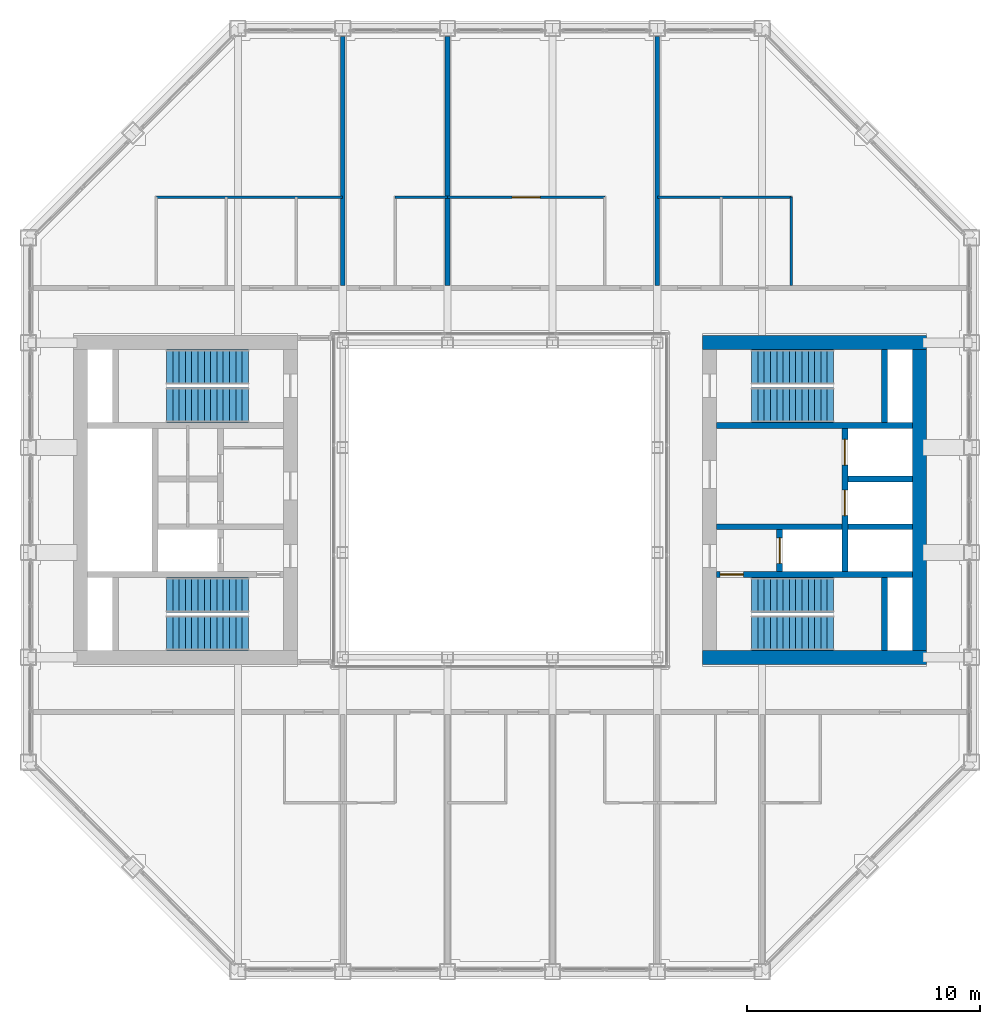
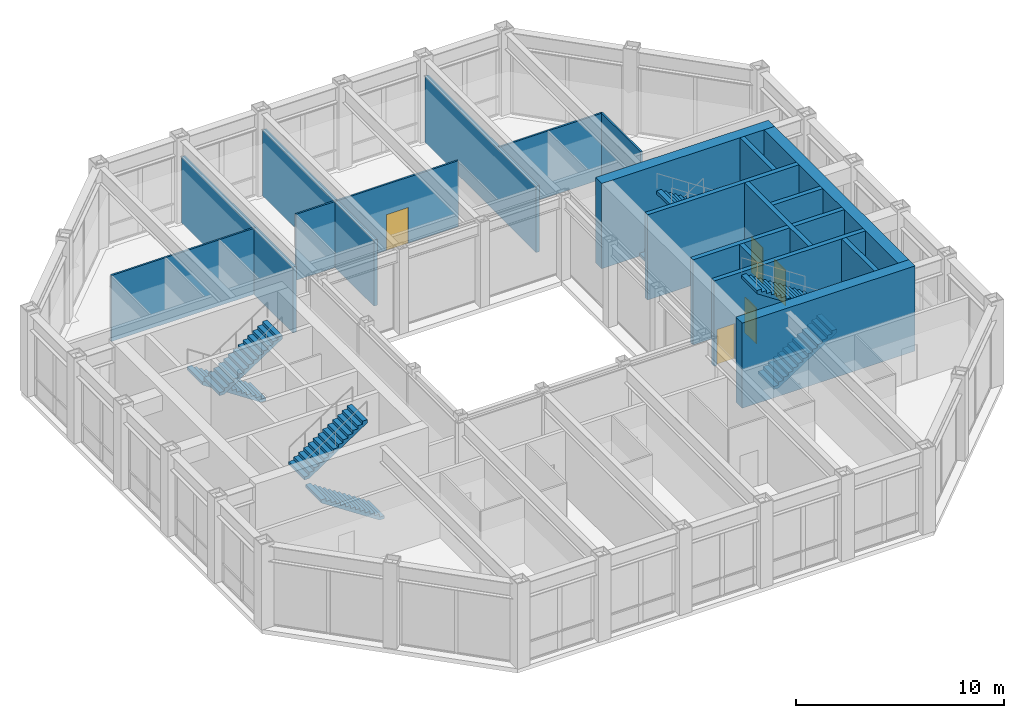
# One storey, part 13 of 15: 20 walls, 8 stair flights, 5 doors, 5 openings, 4 elements without a shape of their own.
"""IFC4 building model written with IfcOpenShell, lengths in metres."""

from ifc_helpers import new_model, si_unit, direction, frame, frame_2d, origin, place, context, subcontext, project, spatial, polyline, rectangle, outline, extrude, material, layer, layer_set, type_object, element, fill, aggregate, save


model = new_model("IFC4")

# Units and contexts
model_context = context("Model", 3, precision=1e-05, world=origin(), true_north=direction((0.0, 1.0)))
body_context = subcontext(model_context, "Body", "Model", "MODEL_VIEW")
ifc_project = project(units=[si_unit("LENGTHUNIT", "METRE"), si_unit("AREAUNIT", "SQUARE_METRE"), si_unit("VOLUMEUNIT", "CUBIC_METRE"), si_unit("PLANEANGLEUNIT", "RADIAN"), si_unit("MASSUNIT", "GRAM", prefix="KILO")], contexts=[model_context])

# Site, building, storey
site_placement = place(None, origin())
site = spatial("IfcSite", under=ifc_project, at=site_placement, CompositionType="ELEMENT")
building_placement = place(site_placement, origin())
building = spatial("IfcBuilding", under=site, at=building_placement, Name="Msasa Ring Tower", CompositionType="ELEMENT")
storey_placement = place(building_placement, frame((0.0, 0.0, 195.800048828125)))
storey = spatial("IfcBuildingStorey", under=building, at=storey_placement, Name="L51", CompositionType="ELEMENT", Elevation=195.800048828125)

# Walls
ifc_material_1 = material(Name="Concrete C60/75", Category="concrete")
ifc_layer_1 = layer(ifc_material_1, 0.60009765625)
ifc_layer_set_1 = layer_set([ifc_layer_1], Name="CW3 CORE WALL 600")
wall_type_1 = type_object("IfcWallType", Name="CW3 CORE WALL 600", PredefinedType="SHEAR", material=ifc_layer_set_1)
for number, where, z_axis, x_axis, name in (
    (1, (8.699951171875, -6.75, 0.0), (0.0, 0.0, 1.0), (1.0, 0.0, 0.0), "E core wall S L51"),
    (2, (8.699951171875, 6.75, 0.0), (0.0, 0.0, 1.0), (1.0, 0.0, 0.0), "E core wall N L51"),
):
    element("IfcWall", number, at=place(storey_placement, frame(where, z_axis=z_axis, x_axis=x_axis)), inside=storey, type_object=wall_type_1, Name=name, PredefinedType="SHEAR", context=body_context, shape_type="SweptSolid", body=[
        extrude(rectangle(XDim=9.60009765625, YDim=0.60009765625, at=frame_2d((4.800048828125, 0.0))), origin(), (0.0, 0.0, 1.0), 5.0),
    ])
wall_1_placement = place(storey_placement, frame((18.0, -6.449951171875, 0.0), z_axis=(0.0, 0.0, 1.0), x_axis=(0.0, 1.0, 0.0)))
element("IfcWall", 3, at=wall_1_placement, inside=storey, type_object=wall_type_1, Name="E core wall E L51", PredefinedType="SHEAR", context=body_context, shape_type="SweptSolid", body=[
    extrude(rectangle(XDim=12.89990234375, YDim=0.60009765625, at=frame_2d((6.449951171875, 0.0))), origin(), (0.0, 0.0, 1.0), 5.0),
])

# Wall, opening, door
ifc_material_2 = material(Name="Concrete C60/75", Category="concrete")
ifc_layer_2 = layer(ifc_material_2, 0.25)
ifc_layer_set_2 = layer_set([ifc_layer_2], Name="CW4 CORE INNER WALL 250")
wall_type_2 = type_object("IfcWallType", Name="CW4 CORE INNER WALL 250", PredefinedType="SHEAR", material=ifc_layer_set_2)
wall_2_placement = place(storey_placement, frame((9.300048828125, -3.199951171875, 0.0), z_axis=(0.0, 0.0, 1.0), x_axis=(1.0, 0.0, 0.0)))
wall_2 = element("IfcWall", 4, at=wall_2_placement, inside=storey, type_object=wall_type_2, Name="E core wall STAIRA L51", PredefinedType="SHEAR", context=body_context, shape_type="SweptSolid", body=[
    extrude(rectangle(XDim=8.39990234375, YDim=0.25, at=frame_2d((4.199951171875, 0.0))), origin(), (0.0, 0.0, 1.0), 5.0),
])
opening_1_placement = place(wall_2_placement, frame((0.14990234375, 0.0, 0.0)))
opening_1 = element("IfcOpeningElement", 5, at=opening_1_placement, cuts=wall_2, Name="Opening L51-026", PredefinedType="OPENING", context=body_context, shape_type="SweptSolid", body=[
    extrude(rectangle(XDim=1.0, YDim=2.10009765625, at=frame_2d((0.5, 1.050048828125))), frame((0.0, 0.135009765625, 0.0), z_axis=(0.0, -1.0, 0.0), x_axis=(1.0, 0.0, 0.0)), (0.0, 0.0, 1.0), 0.27001953125),
])
ifc_material_3 = material(Name="Timber door leaf in a steel frame", Category="steel")
door_type_1 = type_object("IfcDoorType", Name="D6 STAIR DOOR 1000x2100", OperationType="SINGLE_SWING_LEFT", PredefinedType="DOOR", material=ifc_material_3)
door_1_placement = place(opening_1_placement, origin())
door_1 = element("IfcDoor", 6, at=door_1_placement, inside=storey, type_object=door_type_1, Name="Door L51-ESTA", OperationType="SINGLE_SWING_LEFT", OverallHeight=2.10009765625, OverallWidth=1.0, PredefinedType="DOOR", context=body_context, shape_type="SweptSolid", body=[
    extrude(rectangle(XDim=1.0, YDim=2.10009765625, at=frame_2d((0.5, 1.050048828125))), frame((0.0, 0.02490234375, 0.0), z_axis=(0.0, -1.0, 0.0), x_axis=(1.0, 0.0, 0.0)), (0.0, 0.0, 1.0), 0.050048828125),
])
fill(opening_1, door_1)

# Walls
wall_3_placement = place(storey_placement, frame((9.300048828125, 3.199951171875, 0.0), z_axis=(0.0, 0.0, 1.0), x_axis=(1.0, 0.0, 0.0)))
element("IfcWall", 7, at=wall_3_placement, inside=storey, type_object=wall_type_2, Name="E core wall STAIRB L51", PredefinedType="SHEAR", context=body_context, shape_type="SweptSolid", body=[
    extrude(rectangle(XDim=8.39990234375, YDim=0.25, at=frame_2d((4.199951171875, 0.0))), origin(), (0.0, 0.0, 1.0), 5.0),
])
for number, where, z_axis, x_axis, name in (
    (8, (16.5, -6.449951171875, 0.0), (0.0, 0.0, 1.0), (0.0, 1.0, 0.0), "E core wall RISERA L51"),
    (9, (16.5, 3.324951171875, 0.0), (0.0, 0.0, 1.0), (0.0, 1.0, 0.0), "E core wall RISERB L51"),
):
    element("IfcWall", number, at=place(storey_placement, frame(where, z_axis=z_axis, x_axis=x_axis)), inside=storey, type_object=wall_type_2, Name=name, PredefinedType="SHEAR", context=body_context, shape_type="SweptSolid", body=[
        extrude(rectangle(XDim=3.125, YDim=0.25, at=frame_2d((1.5625, 0.0))), origin(), (0.0, 0.0, 1.0), 5.0),
    ])
wall_4_placement = place(storey_placement, frame((9.300048828125, -1.14990234375, 0.0), z_axis=(0.0, 0.0, 1.0), x_axis=(1.0, 0.0, 0.0)))
element("IfcWall", 10, at=wall_4_placement, inside=storey, type_object=wall_type_2, Name="E core wall FFL L51", PredefinedType="SHEAR", context=body_context, shape_type="SweptSolid", body=[
    extrude(rectangle(XDim=5.375, YDim=0.25, at=frame_2d((2.6875, 0.0))), origin(), (0.0, 0.0, 1.0), 5.0),
])

# Wall, opening, door
wall_5_placement = place(storey_placement, frame((12.0, -3.074951171875, 0.0), z_axis=(0.0, 0.0, 1.0), x_axis=(0.0, 1.0, 0.0)))
wall_5 = element("IfcWall", 11, at=wall_5_placement, inside=storey, type_object=wall_type_2, Name="E core wall LOBBY L51", PredefinedType="SHEAR", context=body_context, shape_type="SweptSolid", body=[
    extrude(rectangle(XDim=1.800048828125, YDim=0.25, at=frame_2d((0.89990234375, 0.0))), origin(), (0.0, 0.0, 1.0), 5.0),
])
opening_2_placement = place(wall_5_placement, frame((0.35009765625, 0.0, 0.0)))
opening_2 = element("IfcOpeningElement", 12, at=opening_2_placement, cuts=wall_5, Name="Opening LD1", PredefinedType="OPENING", context=body_context, shape_type="SweptSolid", body=[
    extrude(rectangle(XDim=1.10009765625, YDim=2.10009765625, at=frame_2d((0.550048828125, 1.050048828125))), frame((0.0, 0.135009765625, 0.0), z_axis=(0.0, -1.0, 0.0), x_axis=(1.0, 0.0, 0.0)), (0.0, 0.0, 1.0), 0.27001953125),
])
ifc_material_4 = material(Name="Stainless steel lift landing door", Category="steel")
door_type_2 = type_object("IfcDoorType", Name="LD1 LIFT LANDING DOOR 1100x2100", OperationType="DOUBLE_DOOR_SLIDING", PredefinedType="DOOR", material=ifc_material_4)
door_2_placement = place(opening_2_placement, origin())
door_2 = element("IfcDoor", 13, at=door_2_placement, inside=storey, type_object=door_type_2, Name="Lift landing door FL-E L51", OperationType="DOUBLE_DOOR_SLIDING", OverallHeight=2.10009765625, OverallWidth=1.10009765625, PredefinedType="DOOR", context=body_context, shape_type="SweptSolid", body=[
    extrude(rectangle(XDim=1.10009765625, YDim=2.10009765625, at=frame_2d((0.550048828125, 1.050048828125))), frame((0.0, 0.02490234375, 0.0), z_axis=(0.0, -1.0, 0.0), x_axis=(1.0, 0.0, 0.0)), (0.0, 0.0, 1.0), 0.050048828125),
])
fill(opening_2, door_2)

# Wall, openings, doors
wall_6_placement = place(storey_placement, frame((14.800048828125, -3.074951171875, 0.0), z_axis=(0.0, 0.0, 1.0), x_axis=(0.0, 1.0, 0.0)))
wall_6 = element("IfcWall", 14, at=wall_6_placement, inside=storey, type_object=wall_type_2, Name="E core wall SHAFT L51", PredefinedType="SHEAR", context=body_context, shape_type="SweptSolid", body=[
    extrude(rectangle(XDim=6.14990234375, YDim=0.25, at=frame_2d((3.074951171875, 0.0))), origin(), (0.0, 0.0, 1.0), 5.0),
])
opening_3_placement = place(wall_6_placement, frame((2.39990234375, 0.0, 0.0)))
opening_3 = element("IfcOpeningElement", 15, at=opening_3_placement, cuts=wall_6, Name="Opening LD1", PredefinedType="OPENING", context=body_context, shape_type="SweptSolid", body=[
    extrude(rectangle(XDim=1.10009765625, YDim=2.10009765625, at=frame_2d((0.550048828125, 1.050048828125))), frame((0.0, 0.135009765625, 0.0), z_axis=(0.0, -1.0, 0.0), x_axis=(1.0, 0.0, 0.0)), (0.0, 0.0, 1.0), 0.27001953125),
])
opening_4_placement = place(wall_6_placement, frame((4.574951171875, 0.0, 0.0)))
opening_4 = element("IfcOpeningElement", 16, at=opening_4_placement, cuts=wall_6, Name="Opening LD1", PredefinedType="OPENING", context=body_context, shape_type="SweptSolid", body=[
    extrude(rectangle(XDim=1.10009765625, YDim=2.10009765625, at=frame_2d((0.550048828125, 1.050048828125))), frame((0.0, 0.135009765625, 0.0), z_axis=(0.0, -1.0, 0.0), x_axis=(1.0, 0.0, 0.0)), (0.0, 0.0, 1.0), 0.27001953125),
])
door_3_placement = place(opening_3_placement, origin())
door_3 = element("IfcDoor", 17, at=door_3_placement, inside=storey, type_object=door_type_2, Name="Lift landing door PL-H1 L51", OperationType="DOUBLE_DOOR_SLIDING", OverallHeight=2.10009765625, OverallWidth=1.10009765625, PredefinedType="DOOR", context=body_context, shape_type="SweptSolid", body=[
    extrude(rectangle(XDim=1.10009765625, YDim=2.10009765625, at=frame_2d((0.550048828125, 1.050048828125))), frame((0.0, 0.02490234375, 0.0), z_axis=(0.0, -1.0, 0.0), x_axis=(1.0, 0.0, 0.0)), (0.0, 0.0, 1.0), 0.050048828125),
])
fill(opening_3, door_3)
door_4_placement = place(opening_4_placement, origin())
door_4 = element("IfcDoor", 18, at=door_4_placement, inside=storey, type_object=door_type_2, Name="Lift landing door PL-H2 L51", OperationType="DOUBLE_DOOR_SLIDING", OverallHeight=2.10009765625, OverallWidth=1.10009765625, PredefinedType="DOOR", context=body_context, shape_type="SweptSolid", body=[
    extrude(rectangle(XDim=1.10009765625, YDim=2.10009765625, at=frame_2d((0.550048828125, 1.050048828125))), frame((0.0, 0.02490234375, 0.0), z_axis=(0.0, -1.0, 0.0), x_axis=(1.0, 0.0, 0.0)), (0.0, 0.0, 1.0), 0.050048828125),
])
fill(opening_4, door_4)

# Walls
for number, where, z_axis, x_axis, name in (
    (19, (14.925048828125, -1.14990234375, 0.0), (0.0, 0.0, 1.0), (1.0, 0.0, 0.0), "E core wall HSEP L51"),
    (20, (14.925048828125, 0.89990234375, 0.0), (0.0, 0.0, 1.0), (1.0, 0.0, 0.0), "E core wall HLIFT L51"),
):
    element("IfcWall", number, at=place(storey_placement, frame(where, z_axis=z_axis, x_axis=x_axis)), inside=storey, type_object=wall_type_2, Name=name, PredefinedType="SHEAR", context=body_context, shape_type="SweptSolid", body=[
        extrude(rectangle(XDim=2.77490234375, YDim=0.25, at=frame_2d((1.387451171875, 0.0))), origin(), (0.0, 0.0, 1.0), 5.0),
    ])
ifc_material_5 = material(Name="Gypsum board on steel studs", Category="steel")
ifc_layer_3 = layer(ifc_material_5, 0.10009765625)
ifc_layer_set_3 = layer_set([ifc_layer_3], Name="PT2 STUD PARTITION 100")
wall_type_3 = type_object("IfcWallType", Name="PT2 STUD PARTITION 100", PredefinedType="PARTITIONING", material=ifc_layer_set_3)
wall_7_placement = place(storey_placement, frame((-14.75, 13.0, 0.0), z_axis=(0.0, 0.0, 1.0), x_axis=(1.0, 0.0, 0.0)))
element("IfcWall", 21, at=wall_7_placement, inside=storey, type_object=wall_type_3, Name="Partition L51-CLN0X0", PredefinedType="PARTITIONING", context=body_context, shape_type="SweptSolid", body=[
    extrude(rectangle(XDim=8.0, YDim=0.10009765625, at=frame_2d((4.0, 0.0))), origin(), (0.0, 0.0, 1.0), 3.873291015625),
])
wall_8_placement = place(storey_placement, frame((-4.5, 13.0, 0.0), z_axis=(0.0, 0.0, 1.0), x_axis=(1.0, 0.0, 0.0)))
element("IfcWall", 22, at=wall_8_placement, inside=storey, type_object=wall_type_3, Name="Partition L51-CLN1X0", PredefinedType="PARTITIONING", context=body_context, shape_type="SweptSolid", body=[
    extrude(rectangle(XDim=2.25, YDim=0.10009765625, at=frame_2d((1.125, 0.0))), origin(), (0.0, 0.0, 1.0), 3.873291015625),
])

# Wall, opening, door
wall_9_placement = place(storey_placement, frame((-2.25, 13.0, 0.0), z_axis=(0.0, 0.0, 1.0), x_axis=(1.0, 0.0, 0.0)))
wall_9 = element("IfcWall", 23, at=wall_9_placement, inside=storey, type_object=wall_type_3, Name="Partition L51-CLN2X0", PredefinedType="PARTITIONING", context=body_context, shape_type="SweptSolid", body=[
    extrude(rectangle(XDim=6.75, YDim=0.10009765625, at=frame_2d((3.375, 0.0))), origin(), (0.0, 0.0, 1.0), 3.873291015625),
])
opening_5_placement = place(wall_9_placement, frame((2.77490234375, 0.0, 0.0)))
opening_5 = element("IfcOpeningElement", 24, at=opening_5_placement, cuts=wall_9, Name="Opening L51-001", PredefinedType="OPENING", context=body_context, shape_type="SweptSolid", body=[
    extrude(rectangle(XDim=1.199951171875, YDim=2.10009765625, at=frame_2d((0.60009765625, 1.050048828125))), frame((0.0, 0.06005859375, 0.0), z_axis=(0.0, -1.0, 0.0), x_axis=(1.0, 0.0, 0.0)), (0.0, 0.0, 1.0), 0.1201171875),
])
ifc_material_6 = material(Name="Timber door leaf in a steel frame", Category="steel")
door_type_3 = type_object("IfcDoorType", Name="D33 INTERNAL WIDE SERVICE DOOR 1200x2100", OperationType="SINGLE_SWING_LEFT", PredefinedType="DOOR", material=ifc_material_6)
door_5_placement = place(opening_5_placement, origin())
door_5 = element("IfcDoor", 25, at=door_5_placement, inside=storey, type_object=door_type_3, Name="Door L51-CLN2B0", OperationType="SINGLE_SWING_LEFT", OverallHeight=2.10009765625, OverallWidth=1.199951171875, PredefinedType="DOOR", context=body_context, shape_type="SweptSolid", body=[
    extrude(rectangle(XDim=1.199951171875, YDim=2.10009765625, at=frame_2d((0.60009765625, 1.050048828125))), frame((0.0, 0.02490234375, 0.0), z_axis=(0.0, -1.0, 0.0), x_axis=(1.0, 0.0, 0.0)), (0.0, 0.0, 1.0), 0.050048828125),
])
fill(opening_5, door_5)

# Walls
wall_10_placement = place(storey_placement, frame((6.75, 13.0, 0.0), z_axis=(0.0, 0.0, 1.0), x_axis=(1.0, 0.0, 0.0)))
element("IfcWall", 26, at=wall_10_placement, inside=storey, type_object=wall_type_3, Name="Partition L51-CLN3X0", PredefinedType="PARTITIONING", context=body_context, shape_type="SweptSolid", body=[
    extrude(rectangle(XDim=5.75, YDim=0.10009765625, at=frame_2d((2.875, 0.0))), origin(), (0.0, 0.0, 1.0), 3.873291015625),
])
wall_11_placement = place(storey_placement, frame((12.5, 9.199951171875, 0.0), z_axis=(0.0, 0.0, 1.0), x_axis=(0.0, 1.0, 0.0)))
element("IfcWall", 27, at=wall_11_placement, inside=storey, type_object=wall_type_3, Name="Partition L51-CLN3Y1", PredefinedType="PARTITIONING", context=body_context, shape_type="SweptSolid", body=[
    extrude(rectangle(XDim=3.800048828125, YDim=0.10009765625, at=frame_2d((1.89990234375, 0.0))), origin(), (0.0, 0.0, 1.0), 3.873291015625),
])
ifc_material_7 = material(Name="Dense concrete blockwork, plastered both faces", Category="masonry")
ifc_layer_4 = layer(ifc_material_7, 0.25)
ifc_layer_set_4 = layer_set([ifc_layer_4], Name="PT3 APARTMENT SEPARATING WALL 250")
wall_type_4 = type_object("IfcWallType", Name="PT3 APARTMENT SEPARATING WALL 250", PredefinedType="PARTITIONING", material=ifc_layer_set_4)
for number, where, z_axis, x_axis, name in (
    (28, (-6.75, 9.199951171875, 0.0), (0.0, 0.0, 1.0), (0.0, 1.0, 0.0), "Party wall L51-PWN-6.75"),
    (29, (-2.25, 9.199951171875, 0.0), (0.0, 0.0, 1.0), (0.0, 1.0, 0.0), "Party wall L51-PWN-2.25"),
    (30, (6.75, 9.199951171875, 0.0), (0.0, 0.0, 1.0), (0.0, 1.0, 0.0), "Party wall L51-PWN+6.75"),
):
    element("IfcWall", number, at=place(storey_placement, frame(where, z_axis=z_axis, x_axis=x_axis)), inside=storey, type_object=wall_type_4, Name=name, PredefinedType="PARTITIONING", context=body_context, shape_type="SweptSolid", body=[
        extrude(rectangle(XDim=10.699951171875, YDim=0.199951171875, at=frame_2d((5.35009765625, 0.0))), origin(), (0.0, 0.0, 1.0), 3.873291015625),
    ])

# Stair, stair flights
ifc_material_8 = material(Name="Concrete C40/50", Category="concrete")
stair_type = type_object("IfcStairType", Name="STC CORE STAIR 28 RISERS 178.6", PredefinedType="HALF_TURN_STAIR", material=ifc_material_8)
stair_1_placement = place(storey_placement, origin())
stair_1 = element("IfcStair", 31, at=stair_1_placement, inside=storey, type_object=stair_type, Name="Core stair SEA L51", PredefinedType="HALF_TURN_STAIR")
ifc_material_9 = material(Name="Concrete C40/50", Category="concrete")
stair_flight_type = type_object("IfcStairFlightType", Name="ST13 CORE STAIR FLIGHT 1500 14 RISERS 178.6", PredefinedType="STRAIGHT", material=ifc_material_9)
stair_flight_1_placement = place(storey_placement, frame((10.800048828125, -5.699951171875, 0.0), z_axis=(0.0, 0.0, 1.0), x_axis=(1.0, 0.0, 0.0)))
stair_flight_1 = element("IfcStairFlight", 32, at=stair_flight_1_placement, type_object=stair_flight_type, Name="SEA flight 1", NumberOfRisers=14, NumberOfTreads=13, PredefinedType="STRAIGHT", RiserHeight=0.178571429, TreadLength=0.27, context=body_context, shape_type="SweptSolid", body=[
    extrude(outline(polyline([(0.0, 0.0), (0.0, 0.178466796875), (0.27001953125, 0.178466796875), (0.27001953125, 0.357177734375), (0.5400390625, 0.357177734375), (0.5400390625, 0.53564453125), (0.81005859375, 0.53564453125), (0.81005859375, 0.71435546875), (1.080078125, 0.71435546875), (1.080078125, 0.892822265625), (1.35009765625, 0.892822265625), (1.35009765625, 1.071533203125), (1.6201171875, 1.071533203125), (1.6201171875, 1.25), (1.889892578125, 1.25), (1.889892578125, 1.428466796875), (2.159912109375, 1.428466796875), (2.159912109375, 1.607177734375), (2.429931640625, 1.607177734375), (2.429931640625, 1.78564453125), (2.699951171875, 1.78564453125), (2.699951171875, 1.96435546875), (2.969970703125, 1.96435546875), (2.969970703125, 2.142822265625), (3.239990234375, 2.142822265625), (3.239990234375, 2.321533203125), (3.510009765625, 2.321533203125), (3.510009765625, 2.5), (3.510009765625, 2.1416015625), (0.271728515625, 0.0), (0.0, 0.0)])), frame((0.0, 0.75, 0.0), z_axis=(0.0, -1.0, 0.0), x_axis=(1.0, 0.0, 0.0)), (0.0, 0.0, 1.0), 1.5),
])
stair_flight_2_placement = place(storey_placement, frame((14.31005859375, -4.074951171875, 2.5), z_axis=(0.0, 0.0, 1.0), x_axis=(-1.0, 0.0, 0.0)))
stair_flight_2 = element("IfcStairFlight", 33, at=stair_flight_2_placement, type_object=stair_flight_type, Name="SEA flight 2", NumberOfRisers=14, NumberOfTreads=13, PredefinedType="STRAIGHT", RiserHeight=0.178571429, TreadLength=0.27, context=body_context, shape_type="SweptSolid", body=[
    extrude(outline(polyline([(0.0, 0.0), (0.0, 0.178466796875), (0.27001953125, 0.178466796875), (0.27001953125, 0.357177734375), (0.5400390625, 0.357177734375), (0.5400390625, 0.53564453125), (0.81005859375, 0.53564453125), (0.81005859375, 0.71435546875), (1.080078125, 0.71435546875), (1.080078125, 0.892822265625), (1.35009765625, 0.892822265625), (1.35009765625, 1.071533203125), (1.6201171875, 1.071533203125), (1.6201171875, 1.25), (1.889892578125, 1.25), (1.889892578125, 1.428466796875), (2.159912109375, 1.428466796875), (2.159912109375, 1.607177734375), (2.429931640625, 1.607177734375), (2.429931640625, 1.78564453125), (2.699951171875, 1.78564453125), (2.699951171875, 1.96435546875), (2.969970703125, 1.96435546875), (2.969970703125, 2.142822265625), (3.239990234375, 2.142822265625), (3.239990234375, 2.321533203125), (3.510009765625, 2.321533203125), (3.510009765625, 2.5), (3.510009765625, 2.1416015625), (0.271728515625, 0.0), (0.0, 0.0)])), frame((0.0, 0.75, 0.0), z_axis=(0.0, -1.0, 0.0), x_axis=(1.0, 0.0, 0.0)), (0.0, 0.0, 1.0), 1.5),
])
aggregate(stair_1, [stair_flight_1, stair_flight_2])

stair_2_placement = place(storey_placement, origin())
stair_2 = element("IfcStair", 34, at=stair_2_placement, inside=storey, type_object=stair_type, Name="Core stair SEB L51", PredefinedType="HALF_TURN_STAIR")
stair_flight_3_placement = place(storey_placement, frame((10.800048828125, 5.699951171875, 0.0), z_axis=(0.0, 0.0, 1.0), x_axis=(1.0, 0.0, 0.0)))
stair_flight_3 = element("IfcStairFlight", 35, at=stair_flight_3_placement, type_object=stair_flight_type, Name="SEB flight 1", NumberOfRisers=14, NumberOfTreads=13, PredefinedType="STRAIGHT", RiserHeight=0.178571429, TreadLength=0.27, context=body_context, shape_type="SweptSolid", body=[
    extrude(outline(polyline([(0.0, 0.0), (0.0, 0.178466796875), (0.27001953125, 0.178466796875), (0.27001953125, 0.357177734375), (0.5400390625, 0.357177734375), (0.5400390625, 0.53564453125), (0.81005859375, 0.53564453125), (0.81005859375, 0.71435546875), (1.080078125, 0.71435546875), (1.080078125, 0.892822265625), (1.35009765625, 0.892822265625), (1.35009765625, 1.071533203125), (1.6201171875, 1.071533203125), (1.6201171875, 1.25), (1.889892578125, 1.25), (1.889892578125, 1.428466796875), (2.159912109375, 1.428466796875), (2.159912109375, 1.607177734375), (2.429931640625, 1.607177734375), (2.429931640625, 1.78564453125), (2.699951171875, 1.78564453125), (2.699951171875, 1.96435546875), (2.969970703125, 1.96435546875), (2.969970703125, 2.142822265625), (3.239990234375, 2.142822265625), (3.239990234375, 2.321533203125), (3.510009765625, 2.321533203125), (3.510009765625, 2.5), (3.510009765625, 2.1416015625), (0.271728515625, 0.0), (0.0, 0.0)])), frame((0.0, 0.75, 0.0), z_axis=(0.0, -1.0, 0.0), x_axis=(1.0, 0.0, 0.0)), (0.0, 0.0, 1.0), 1.5),
])
stair_flight_4_placement = place(storey_placement, frame((14.31005859375, 4.074951171875, 2.5), z_axis=(0.0, 0.0, 1.0), x_axis=(-1.0, 0.0, 0.0)))
stair_flight_4 = element("IfcStairFlight", 36, at=stair_flight_4_placement, type_object=stair_flight_type, Name="SEB flight 2", NumberOfRisers=14, NumberOfTreads=13, PredefinedType="STRAIGHT", RiserHeight=0.178571429, TreadLength=0.27, context=body_context, shape_type="SweptSolid", body=[
    extrude(outline(polyline([(0.0, 0.0), (0.0, 0.178466796875), (0.27001953125, 0.178466796875), (0.27001953125, 0.357177734375), (0.5400390625, 0.357177734375), (0.5400390625, 0.53564453125), (0.81005859375, 0.53564453125), (0.81005859375, 0.71435546875), (1.080078125, 0.71435546875), (1.080078125, 0.892822265625), (1.35009765625, 0.892822265625), (1.35009765625, 1.071533203125), (1.6201171875, 1.071533203125), (1.6201171875, 1.25), (1.889892578125, 1.25), (1.889892578125, 1.428466796875), (2.159912109375, 1.428466796875), (2.159912109375, 1.607177734375), (2.429931640625, 1.607177734375), (2.429931640625, 1.78564453125), (2.699951171875, 1.78564453125), (2.699951171875, 1.96435546875), (2.969970703125, 1.96435546875), (2.969970703125, 2.142822265625), (3.239990234375, 2.142822265625), (3.239990234375, 2.321533203125), (3.510009765625, 2.321533203125), (3.510009765625, 2.5), (3.510009765625, 2.1416015625), (0.271728515625, 0.0), (0.0, 0.0)])), frame((0.0, 0.75, 0.0), z_axis=(0.0, -1.0, 0.0), x_axis=(1.0, 0.0, 0.0)), (0.0, 0.0, 1.0), 1.5),
])
aggregate(stair_2, [stair_flight_3, stair_flight_4])

stair_3_placement = place(storey_placement, origin())
stair_3 = element("IfcStair", 37, at=stair_3_placement, inside=storey, type_object=stair_type, Name="Core stair SWA L51", PredefinedType="HALF_TURN_STAIR")
stair_flight_5_placement = place(storey_placement, frame((-10.800048828125, -5.699951171875, 0.0), z_axis=(0.0, 0.0, 1.0), x_axis=(-1.0, 0.0, 0.0)))
stair_flight_5 = element("IfcStairFlight", 38, at=stair_flight_5_placement, type_object=stair_flight_type, Name="SWA flight 1", NumberOfRisers=14, NumberOfTreads=13, PredefinedType="STRAIGHT", RiserHeight=0.178571429, TreadLength=0.27, context=body_context, shape_type="SweptSolid", body=[
    extrude(outline(polyline([(0.0, 0.0), (0.0, 0.178466796875), (0.27001953125, 0.178466796875), (0.27001953125, 0.357177734375), (0.5400390625, 0.357177734375), (0.5400390625, 0.53564453125), (0.81005859375, 0.53564453125), (0.81005859375, 0.71435546875), (1.080078125, 0.71435546875), (1.080078125, 0.892822265625), (1.35009765625, 0.892822265625), (1.35009765625, 1.071533203125), (1.6201171875, 1.071533203125), (1.6201171875, 1.25), (1.889892578125, 1.25), (1.889892578125, 1.428466796875), (2.159912109375, 1.428466796875), (2.159912109375, 1.607177734375), (2.429931640625, 1.607177734375), (2.429931640625, 1.78564453125), (2.699951171875, 1.78564453125), (2.699951171875, 1.96435546875), (2.969970703125, 1.96435546875), (2.969970703125, 2.142822265625), (3.239990234375, 2.142822265625), (3.239990234375, 2.321533203125), (3.510009765625, 2.321533203125), (3.510009765625, 2.5), (3.510009765625, 2.1416015625), (0.271728515625, 0.0), (0.0, 0.0)])), frame((0.0, 0.75, 0.0), z_axis=(0.0, -1.0, 0.0), x_axis=(1.0, 0.0, 0.0)), (0.0, 0.0, 1.0), 1.5),
])
stair_flight_6_placement = place(storey_placement, frame((-14.31005859375, -4.074951171875, 2.5), z_axis=(0.0, 0.0, 1.0), x_axis=(1.0, 0.0, 0.0)))
stair_flight_6 = element("IfcStairFlight", 39, at=stair_flight_6_placement, type_object=stair_flight_type, Name="SWA flight 2", NumberOfRisers=14, NumberOfTreads=13, PredefinedType="STRAIGHT", RiserHeight=0.178571429, TreadLength=0.27, context=body_context, shape_type="SweptSolid", body=[
    extrude(outline(polyline([(0.0, 0.0), (0.0, 0.178466796875), (0.27001953125, 0.178466796875), (0.27001953125, 0.357177734375), (0.5400390625, 0.357177734375), (0.5400390625, 0.53564453125), (0.81005859375, 0.53564453125), (0.81005859375, 0.71435546875), (1.080078125, 0.71435546875), (1.080078125, 0.892822265625), (1.35009765625, 0.892822265625), (1.35009765625, 1.071533203125), (1.6201171875, 1.071533203125), (1.6201171875, 1.25), (1.889892578125, 1.25), (1.889892578125, 1.428466796875), (2.159912109375, 1.428466796875), (2.159912109375, 1.607177734375), (2.429931640625, 1.607177734375), (2.429931640625, 1.78564453125), (2.699951171875, 1.78564453125), (2.699951171875, 1.96435546875), (2.969970703125, 1.96435546875), (2.969970703125, 2.142822265625), (3.239990234375, 2.142822265625), (3.239990234375, 2.321533203125), (3.510009765625, 2.321533203125), (3.510009765625, 2.5), (3.510009765625, 2.1416015625), (0.271728515625, 0.0), (0.0, 0.0)])), frame((0.0, 0.75, 0.0), z_axis=(0.0, -1.0, 0.0), x_axis=(1.0, 0.0, 0.0)), (0.0, 0.0, 1.0), 1.5),
])
aggregate(stair_3, [stair_flight_5, stair_flight_6])

stair_4_placement = place(storey_placement, origin())
stair_4 = element("IfcStair", 40, at=stair_4_placement, inside=storey, type_object=stair_type, Name="Core stair SWB L51", PredefinedType="HALF_TURN_STAIR")
stair_flight_7_placement = place(storey_placement, frame((-10.800048828125, 5.699951171875, 0.0), z_axis=(0.0, 0.0, 1.0), x_axis=(-1.0, 0.0, 0.0)))
stair_flight_7 = element("IfcStairFlight", 41, at=stair_flight_7_placement, type_object=stair_flight_type, Name="SWB flight 1", NumberOfRisers=14, NumberOfTreads=13, PredefinedType="STRAIGHT", RiserHeight=0.178571429, TreadLength=0.27, context=body_context, shape_type="SweptSolid", body=[
    extrude(outline(polyline([(0.0, 0.0), (0.0, 0.178466796875), (0.27001953125, 0.178466796875), (0.27001953125, 0.357177734375), (0.5400390625, 0.357177734375), (0.5400390625, 0.53564453125), (0.81005859375, 0.53564453125), (0.81005859375, 0.71435546875), (1.080078125, 0.71435546875), (1.080078125, 0.892822265625), (1.35009765625, 0.892822265625), (1.35009765625, 1.071533203125), (1.6201171875, 1.071533203125), (1.6201171875, 1.25), (1.889892578125, 1.25), (1.889892578125, 1.428466796875), (2.159912109375, 1.428466796875), (2.159912109375, 1.607177734375), (2.429931640625, 1.607177734375), (2.429931640625, 1.78564453125), (2.699951171875, 1.78564453125), (2.699951171875, 1.96435546875), (2.969970703125, 1.96435546875), (2.969970703125, 2.142822265625), (3.239990234375, 2.142822265625), (3.239990234375, 2.321533203125), (3.510009765625, 2.321533203125), (3.510009765625, 2.5), (3.510009765625, 2.1416015625), (0.271728515625, 0.0), (0.0, 0.0)])), frame((0.0, 0.75, 0.0), z_axis=(0.0, -1.0, 0.0), x_axis=(1.0, 0.0, 0.0)), (0.0, 0.0, 1.0), 1.5),
])
stair_flight_8_placement = place(storey_placement, frame((-14.31005859375, 4.074951171875, 2.5), z_axis=(0.0, 0.0, 1.0), x_axis=(1.0, 0.0, 0.0)))
stair_flight_8 = element("IfcStairFlight", 42, at=stair_flight_8_placement, type_object=stair_flight_type, Name="SWB flight 2", NumberOfRisers=14, NumberOfTreads=13, PredefinedType="STRAIGHT", RiserHeight=0.178571429, TreadLength=0.27, context=body_context, shape_type="SweptSolid", body=[
    extrude(outline(polyline([(0.0, 0.0), (0.0, 0.178466796875), (0.27001953125, 0.178466796875), (0.27001953125, 0.357177734375), (0.5400390625, 0.357177734375), (0.5400390625, 0.53564453125), (0.81005859375, 0.53564453125), (0.81005859375, 0.71435546875), (1.080078125, 0.71435546875), (1.080078125, 0.892822265625), (1.35009765625, 0.892822265625), (1.35009765625, 1.071533203125), (1.6201171875, 1.071533203125), (1.6201171875, 1.25), (1.889892578125, 1.25), (1.889892578125, 1.428466796875), (2.159912109375, 1.428466796875), (2.159912109375, 1.607177734375), (2.429931640625, 1.607177734375), (2.429931640625, 1.78564453125), (2.699951171875, 1.78564453125), (2.699951171875, 1.96435546875), (2.969970703125, 1.96435546875), (2.969970703125, 2.142822265625), (3.239990234375, 2.142822265625), (3.239990234375, 2.321533203125), (3.510009765625, 2.321533203125), (3.510009765625, 2.5), (3.510009765625, 2.1416015625), (0.271728515625, 0.0), (0.0, 0.0)])), frame((0.0, 0.75, 0.0), z_axis=(0.0, -1.0, 0.0), x_axis=(1.0, 0.0, 0.0)), (0.0, 0.0, 1.0), 1.5),
])
aggregate(stair_4, [stair_flight_7, stair_flight_8])

save(model, "model.ifc")
